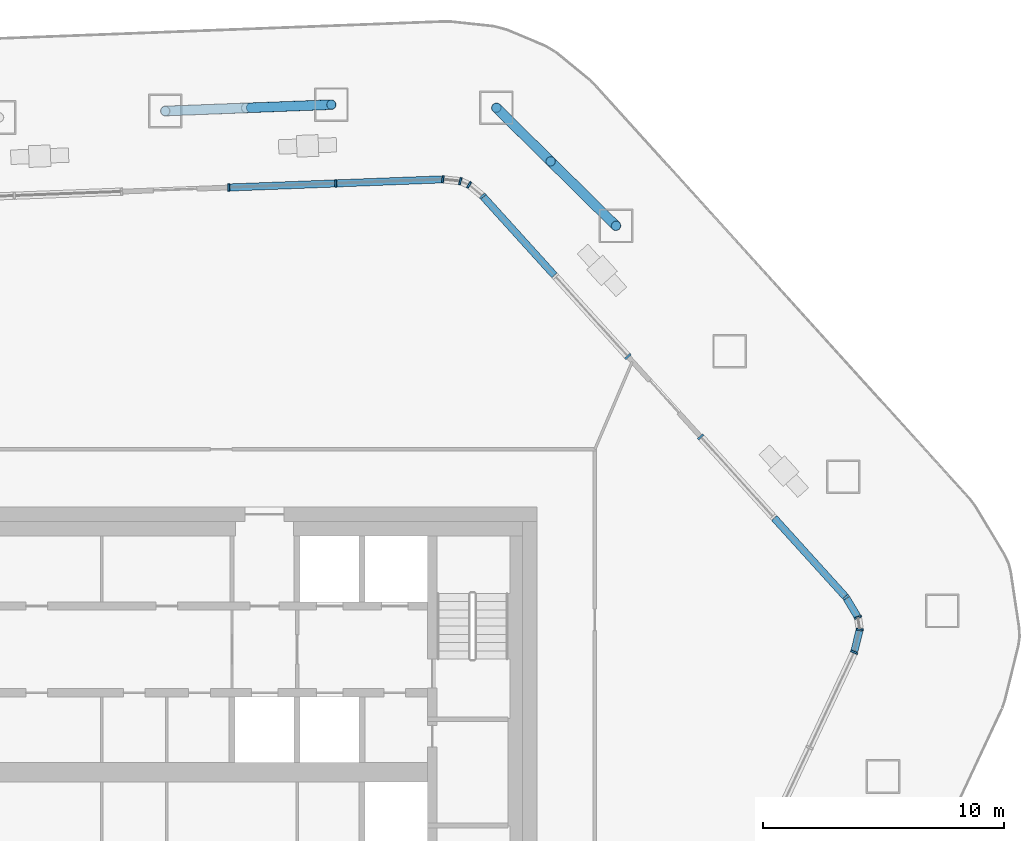
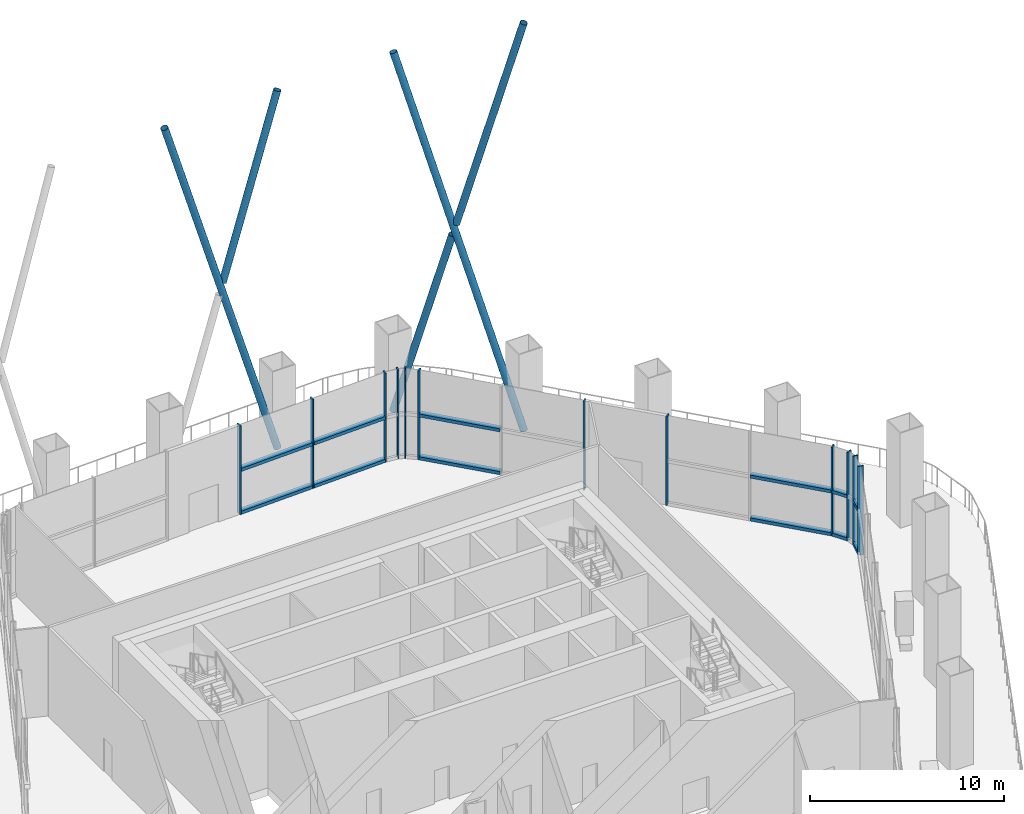
# One storey, part 5 of 20: 29 members, 6 elements without a shape of their own.
"""IFC4 building model written with IfcOpenShell, lengths in metres."""

from ifc_helpers import new_model, si_unit, direction, frame, origin, origin_2d, place, context, subcontext, project, spatial, rectangle, hollow_circle, extrude, material, layer, layer_set, material_profile, profile_set, type_object, element, aggregate, save


model = new_model("IFC4")

# Units and contexts
model_context = context("Model", 3, precision=1e-05, world=origin(), true_north=direction((0.0, 1.0)))
body_context = subcontext(model_context, "Body", "Model", "MODEL_VIEW")
ifc_project = project(units=[si_unit("LENGTHUNIT", "METRE"), si_unit("AREAUNIT", "SQUARE_METRE"), si_unit("VOLUMEUNIT", "CUBIC_METRE"), si_unit("PLANEANGLEUNIT", "RADIAN"), si_unit("MASSUNIT", "GRAM", prefix="KILO")], contexts=[model_context])

# Site, building, storey
site_placement = place(None, origin())
site = spatial("IfcSite", under=ifc_project, at=site_placement, CompositionType="ELEMENT")
building_placement = place(site_placement, origin())
building = spatial("IfcBuilding", under=site, at=building_placement, Name="Dongbaek Canopy Tower", CompositionType="ELEMENT")
storey_placement = place(building_placement, frame((0.0, 0.0, 353.0)))
storey = spatial("IfcBuildingStorey", under=building, at=storey_placement, Name="L76", CompositionType="ELEMENT", Elevation=353.0)

# Members
ifc_material_1 = material(Name="Steel S355", Category="steel")
ifc_material_profile_1 = material_profile(ifc_material_1, hollow_circle(Radius=0.203125, WallThickness=0.0126953125, at=origin_2d()), Name="COLONNADE BRACE CHS 406.4x12.7 Steel S355")
ifc_profile_set_1 = profile_set([ifc_material_profile_1], Name="Steel S355")
member_type_1 = type_object("IfcMemberType", Name="COLONNADE BRACE CHS 406.4x12.7 Steel S355", PredefinedType="BRACE", material=ifc_profile_set_1)
member_1_placement = place(storey_placement, frame((17.27587890625, 22.666015625, 0.60009765625), z_axis=(-0.209558260296, 0.206815567064, 0.955673928054), x_axis=(-0.70243376381, -0.711749118341, 0.0)))
element("IfcMember", 1, at=member_1_placement, inside=storey, type_object=member_type_1, Name="XBRACE:16:0", PredefinedType="BRACE", context=body_context, shape_type="SweptSolid", body=[
    extrude(hollow_circle(Radius=0.203125, WallThickness=0.0126953125, at=origin_2d()), origin(), (0.0, 0.0, 1.0), 23.677978515625),
])
member_2_placement = place(storey_placement, frame((12.31396484375, 27.56298828125, 0.60009765625), z_axis=(0.186413056911, -0.183968759134, 0.965093605758), x_axis=(0.702425004787, 0.71175776262, 0.0)))
element("IfcMember", 2, at=member_2_placement, inside=storey, type_object=member_type_1, Name="XBRACE:16:1", PredefinedType="BRACE", context=body_context, shape_type="SweptSolid", body=[
    extrude(hollow_circle(Radius=0.203125, WallThickness=0.0126953125, at=origin_2d()), origin(), (0.0, 0.0, 1.0), 12.085693359375),
])
member_3_placement = place(storey_placement, frame((17.27587890625, 22.666015625, 26.28857421875), z_axis=(-0.186409425471, 0.183980695914, -0.965092031688), x_axis=(-0.702455024758, -0.711728135029, 0.0)))
element("IfcMember", 3, at=member_3_placement, inside=storey, type_object=member_type_1, Name="XBRACE:16:2", PredefinedType="BRACE", context=body_context, shape_type="SweptSolid", body=[
    extrude(hollow_circle(Radius=0.203125, WallThickness=0.0126953125, at=origin_2d()), origin(), (0.0, 0.0, 1.0), 13.771484375),
])
member_4_placement = place(storey_placement, frame((5.470947265625, 27.69189453125, 0.60009765625), z_axis=(-0.290232397372, -0.011118872366, 0.956891595842), x_axis=(0.038282155939, -0.999266969602, 0.0)))
element("IfcMember", 4, at=member_4_placement, inside=storey, type_object=member_type_1, Name="XBRACE:18:0", PredefinedType="BRACE", context=body_context, shape_type="SweptSolid", body=[
    extrude(hollow_circle(Radius=0.203125, WallThickness=0.0126953125, at=origin_2d()), origin(), (0.0, 0.0, 1.0), 23.73583984375),
])
member_5_placement = place(storey_placement, frame((5.470947265625, 27.69189453125, 23.14794921875), z_axis=(-0.292175218348, -0.011175632388, -0.956299506966), x_axis=(0.038221811516, -0.999269279586, 0.0)))
element("IfcMember", 5, at=member_5_placement, inside=storey, type_object=member_type_1, Name="XBRACE:18:2", PredefinedType="BRACE", context=body_context, shape_type="SweptSolid", body=[
    extrude(hollow_circle(Radius=0.203125, WallThickness=0.0126953125, at=origin_2d()), origin(), (0.0, 0.0, 1.0), 11.381591796875),
])

# Curtain wall, members
ifc_material_2 = material(Name="Aluminium 6063-T6 pale anodised", Category="aluminium")
ifc_layer = layer(ifc_material_2, 0.300048828125)
ifc_layer_set = layer_set([ifc_layer], Name="CW-5 observation lounge curtain wall")
curtain_wall_type = type_object("IfcCurtainWallType", Name="CW-5 observation lounge curtain wall", PredefinedType="NOTDEFINED", material=ifc_layer_set)
curtain_wall_1_placement = place(storey_placement, origin())
curtain_wall_1 = element("IfcCurtainWall", 6, at=curtain_wall_1_placement, inside=storey, type_object=curtain_wall_type, Name="CW-5 curtain wall F0.1", PredefinedType="NOTDEFINED")
ifc_material_3 = material(Name="Aluminium 6063-T6 pale anodised", Category="aluminium")
ifc_material_profile_2 = material_profile(ifc_material_3, rectangle(XDim=0.300048828125, YDim=0.080078125, at=origin_2d()), Name="CW-5 mullion 80 x 300")
ifc_profile_set_2 = profile_set([ifc_material_profile_2], Name="Aluminium 6063-T6 pale anodised")
member_type_2 = type_object("IfcMemberType", Name="CW-5 mullion 80 x 300", PredefinedType="MULLION", material=ifc_profile_set_2)
member_6_placement = place(storey_placement, frame((26.811767578125, 7.262451171875, 0.0), z_axis=(0.0, 0.0, 1.0), x_axis=(0.741222235165, 0.671259709872, 0.0)))
member_6 = element("IfcMember", 7, at=member_6_placement, type_object=member_type_2, Name="CW-5 mullion F0.1.1", PredefinedType="MULLION", context=body_context, shape_type="SweptSolid", body=[
    extrude(rectangle(XDim=0.300048828125, YDim=0.080078125, at=origin_2d()), origin(), (0.0, 0.0, 1.0), 5.60009765625),
])
member_7_placement = place(storey_placement, frame((20.786865234375, 13.915283203125, 0.0), z_axis=(0.0, 0.0, 1.0), x_axis=(0.741222235165, 0.671259709872, 0.0)))
member_7 = element("IfcMember", 8, at=member_7_placement, type_object=member_type_2, Name="CW-5 mullion F0.1.3", PredefinedType="MULLION", context=body_context, shape_type="SweptSolid", body=[
    extrude(rectangle(XDim=0.300048828125, YDim=0.080078125, at=origin_2d()), origin(), (0.0, 0.0, 1.0), 5.60009765625),
])

curtain_wall_2_placement = place(storey_placement, origin())
curtain_wall_2 = element("IfcCurtainWall", 9, at=curtain_wall_2_placement, inside=storey, type_object=curtain_wall_type, Name="CW-5 curtain wall F0.2", PredefinedType="NOTDEFINED")
member_8_placement = place(storey_placement, frame((17.771240234375, 17.2451171875, 0.0), z_axis=(0.0, 0.0, 1.0), x_axis=(0.741222235165, 0.671259709872, 0.0)))
member_8 = element("IfcMember", 10, at=member_8_placement, type_object=member_type_2, Name="CW-5 mullion F0.2.1", PredefinedType="MULLION", context=body_context, shape_type="SweptSolid", body=[
    extrude(rectangle(XDim=0.300048828125, YDim=0.080078125, at=origin_2d()), origin(), (0.0, 0.0, 1.0), 5.60009765625),
])
member_9_placement = place(storey_placement, frame((11.744873046875, 23.899658203125, 0.0), z_axis=(0.0, 0.0, 1.0), x_axis=(0.741222235165, 0.671259709872, 0.0)))
member_9 = element("IfcMember", 11, at=member_9_placement, type_object=member_type_2, Name="CW-5 mullion F0.2.3", PredefinedType="MULLION", context=body_context, shape_type="SweptSolid", body=[
    extrude(rectangle(XDim=0.300048828125, YDim=0.080078125, at=origin_2d()), origin(), (0.0, 0.0, 1.0), 5.60009765625),
])

curtain_wall_3_placement = place(storey_placement, origin())
curtain_wall_3 = element("IfcCurtainWall", 12, at=curtain_wall_3_placement, inside=storey, type_object=curtain_wall_type, Name="CW-5 curtain wall K0.1", PredefinedType="NOTDEFINED")
member_10_placement = place(storey_placement, frame((11.180908203125, 24.364501953125, 0.0), z_axis=(0.0, 0.0, 1.0), x_axis=(0.517430764886, 0.855725074746, 0.0)))
member_10 = element("IfcMember", 13, at=member_10_placement, type_object=member_type_2, Name="CW-5 mullion K0.1.2", PredefinedType="MULLION", context=body_context, shape_type="SweptSolid", body=[
    extrude(rectangle(XDim=0.300048828125, YDim=0.080078125, at=origin_2d()), origin(), (0.0, 0.0, 1.0), 5.60009765625),
])
member_11_placement = place(storey_placement, frame((10.81982421875, 24.516357421875, 0.0), z_axis=(0.0, 0.0, 1.0), x_axis=(0.250117935239, 0.968215378143, 0.0)))
member_11 = element("IfcMember", 14, at=member_11_placement, type_object=member_type_2, Name="CW-5 mullion K0.1.3", PredefinedType="MULLION", context=body_context, shape_type="SweptSolid", body=[
    extrude(rectangle(XDim=0.300048828125, YDim=0.080078125, at=origin_2d()), origin(), (0.0, 0.0, 1.0), 5.60009765625),
])
member_12_placement = place(storey_placement, frame((10.093505859375, 24.5947265625, 0.0), z_axis=(0.0, 0.0, 1.0), x_axis=(0.107074149488, 0.994251037974, 0.0)))
member_12 = element("IfcMember", 15, at=member_12_placement, type_object=member_type_2, Name="CW-5 mullion K0.1.4", PredefinedType="MULLION", context=body_context, shape_type="SweptSolid", body=[
    extrude(rectangle(XDim=0.300048828125, YDim=0.080078125, at=origin_2d()), origin(), (0.0, 0.0, 1.0), 5.60009765625),
])
aggregate(curtain_wall_3, [member_10, member_11, member_12])

curtain_wall_4_placement = place(storey_placement, origin())
curtain_wall_4 = element("IfcCurtainWall", 16, at=curtain_wall_4_placement, inside=storey, type_object=curtain_wall_type, Name="CW-5 curtain wall F1.1", PredefinedType="NOTDEFINED")
member_13_placement = place(storey_placement, frame((5.65673828125, 24.4248046875, 0.0), z_axis=(0.0, 0.0, 1.0), x_axis=(-0.038231971473, 0.999268890918, 0.0)))
member_13 = element("IfcMember", 17, at=member_13_placement, type_object=member_type_2, Name="CW-5 mullion F1.1.2", PredefinedType="MULLION", context=body_context, shape_type="SweptSolid", body=[
    extrude(rectangle(XDim=0.300048828125, YDim=0.080078125, at=origin_2d()), origin(), (0.0, 0.0, 1.0), 5.60009765625),
])
member_14_placement = place(storey_placement, frame((1.212646484375, 24.2548828125, 0.0), z_axis=(0.0, 0.0, 1.0), x_axis=(-0.038231971473, 0.999268890918, 0.0)))
member_14 = element("IfcMember", 18, at=member_14_placement, type_object=member_type_2, Name="CW-5 mullion F1.1.3", PredefinedType="MULLION", context=body_context, shape_type="SweptSolid", body=[
    extrude(rectangle(XDim=0.300048828125, YDim=0.080078125, at=origin_2d()), origin(), (0.0, 0.0, 1.0), 5.60009765625),
])

# Curtain wall, member
curtain_wall_5_placement = place(storey_placement, origin())
curtain_wall_5 = element("IfcCurtainWall", 19, at=curtain_wall_5_placement, inside=storey, type_object=curtain_wall_type, Name="CW-5 curtain wall F5.2", PredefinedType="NOTDEFINED")
member_15_placement = place(storey_placement, frame((27.1533203125, 4.985595703125, 0.0), z_axis=(0.0, 0.0, 1.0), x_axis=(0.905604656845, -0.424122866043, 0.0)))
member_15 = element("IfcMember", 20, at=member_15_placement, type_object=member_type_2, Name="CW-5 mullion F5.2.4", PredefinedType="MULLION", context=body_context, shape_type="SweptSolid", body=[
    extrude(rectangle(XDim=0.300048828125, YDim=0.080078125, at=origin_2d()), origin(), (0.0, 0.0, 1.0), 5.60009765625),
])
aggregate(curtain_wall_5, [member_15])

# Curtain wall, members
curtain_wall_6_placement = place(storey_placement, origin())
curtain_wall_6 = element("IfcCurtainWall", 21, at=curtain_wall_6_placement, inside=storey, type_object=curtain_wall_type, Name="CW-5 curtain wall K5.1", PredefinedType="NOTDEFINED")
member_16_placement = place(storey_placement, frame((27.385986328125, 5.927001953125, 0.0), z_axis=(0.0, 0.0, 1.0), x_axis=(0.998910085146, -0.046675923068, 0.0)))
member_16 = element("IfcMember", 22, at=member_16_placement, type_object=member_type_2, Name="CW-5 mullion K5.1.2", PredefinedType="MULLION", context=body_context, shape_type="SweptSolid", body=[
    extrude(rectangle(XDim=0.300048828125, YDim=0.080078125, at=origin_2d()), origin(), (0.0, 0.0, 1.0), 5.60009765625),
])
member_17_placement = place(storey_placement, frame((27.310546875, 6.430908203125, 0.0), z_axis=(0.0, 0.0, 1.0), x_axis=(0.941208122348, 0.337827278984, 0.0)))
member_17 = element("IfcMember", 23, at=member_17_placement, type_object=member_type_2, Name="CW-5 mullion K5.1.3", PredefinedType="MULLION", context=body_context, shape_type="SweptSolid", body=[
    extrude(rectangle(XDim=0.300048828125, YDim=0.080078125, at=origin_2d()), origin(), (0.0, 0.0, 1.0), 5.60009765625),
])

# Member
ifc_material_4 = material(Name="Aluminium 6063-T6 pale anodised", Category="aluminium")
ifc_material_profile_3 = material_profile(ifc_material_4, rectangle(XDim=0.300048828125, YDim=0.199951171875, at=origin_2d()), Name="CW-5 transom 200 x 300")
ifc_profile_set_3 = profile_set([ifc_material_profile_3], Name="Aluminium 6063-T6 pale anodised")
member_type_3 = type_object("IfcMemberType", Name="CW-5 transom 200 x 300", PredefinedType="USERDEFINED", material=ifc_profile_set_3)
member_18_placement = place(storey_placement, frame((26.77685546875, 7.301025390625, 0.10009765625), z_axis=(-0.671284056103, 0.741200186199, 0.0), x_axis=(-0.741200186199, -0.671284056103, 0.0)))
member_18 = element("IfcMember", 24, at=member_18_placement, type_object=member_type_3, Name="CW-5 transom F0.1.1.1", ObjectType="TRANSOM", PredefinedType="USERDEFINED", context=body_context, shape_type="SweptSolid", body=[
    extrude(rectangle(XDim=0.300048828125, YDim=0.199951171875, at=origin_2d()), origin(), (0.0, 0.0, 1.0), 4.37890625),
])

member_19_placement = place(storey_placement, frame((26.77685546875, 7.301025390625, 2.800048828125), z_axis=(-0.671284056103, 0.741200186199, 0.0), x_axis=(-0.741200186199, -0.671284056103, 0.0)))
member_19 = element("IfcMember", 25, at=member_19_placement, type_object=member_type_3, Name="CW-5 transom F0.1.1.2", ObjectType="TRANSOM", PredefinedType="USERDEFINED", context=body_context, shape_type="SweptSolid", body=[
    extrude(rectangle(XDim=0.300048828125, YDim=0.199951171875, at=origin_2d()), origin(), (0.0, 0.0, 1.0), 4.37890625),
])

aggregate(curtain_wall_1, [member_6, member_7, member_18, member_19])

member_20_placement = place(storey_placement, frame((14.720703125, 20.61376953125, 0.10009765625), z_axis=(-0.671273656212, 0.741209604954, 0.0), x_axis=(-0.741209604954, -0.671273656212, 0.0)))
member_20 = element("IfcMember", 26, at=member_20_placement, type_object=member_type_3, Name="CW-5 transom F0.2.2.1", ObjectType="TRANSOM", PredefinedType="USERDEFINED", context=body_context, shape_type="SweptSolid", body=[
    extrude(rectangle(XDim=0.300048828125, YDim=0.199951171875, at=origin_2d()), origin(), (0.0, 0.0, 1.0), 4.381103515625),
])

member_21_placement = place(storey_placement, frame((14.720703125, 20.61376953125, 2.800048828125), z_axis=(-0.671273656212, 0.741209604954, 0.0), x_axis=(-0.741209604954, -0.671273656212, 0.0)))
member_21 = element("IfcMember", 27, at=member_21_placement, type_object=member_type_3, Name="CW-5 transom F0.2.2.2", ObjectType="TRANSOM", PredefinedType="USERDEFINED", context=body_context, shape_type="SweptSolid", body=[
    extrude(rectangle(XDim=0.300048828125, YDim=0.199951171875, at=origin_2d()), origin(), (0.0, 0.0, 1.0), 4.381103515625),
])

aggregate(curtain_wall_2, [member_8, member_9, member_20, member_21])

member_22_placement = place(storey_placement, frame((10.04150390625, 24.592529296875, 0.10009765625), z_axis=(-0.999268889241, -0.038232015315, 0.0), x_axis=(0.038232015315, -0.999268889241, 0.0)))
member_22 = element("IfcMember", 28, at=member_22_placement, type_object=member_type_3, Name="CW-5 transom F1.1.1.1", ObjectType="TRANSOM", PredefinedType="USERDEFINED", context=body_context, shape_type="SweptSolid", body=[
    extrude(rectangle(XDim=0.300048828125, YDim=0.199951171875, at=origin_2d()), origin(), (0.0, 0.0, 1.0), 4.3359375),
])

member_23_placement = place(storey_placement, frame((10.04150390625, 24.592529296875, 2.800048828125), z_axis=(-0.999268889241, -0.038232015315, 0.0), x_axis=(0.038232015315, -0.999268889241, 0.0)))
member_23 = element("IfcMember", 29, at=member_23_placement, type_object=member_type_3, Name="CW-5 transom F1.1.1.2", ObjectType="TRANSOM", PredefinedType="USERDEFINED", context=body_context, shape_type="SweptSolid", body=[
    extrude(rectangle(XDim=0.300048828125, YDim=0.199951171875, at=origin_2d()), origin(), (0.0, 0.0, 1.0), 4.3359375),
])

member_24_placement = place(storey_placement, frame((5.604736328125, 24.4228515625, 0.10009765625), z_axis=(-0.999269206607, -0.03822371944, 0.0), x_axis=(0.03822371944, -0.999269206607, 0.0)))
member_24 = element("IfcMember", 30, at=member_24_placement, type_object=member_type_3, Name="CW-5 transom F1.1.2.1", ObjectType="TRANSOM", PredefinedType="USERDEFINED", context=body_context, shape_type="SweptSolid", body=[
    extrude(rectangle(XDim=0.300048828125, YDim=0.199951171875, at=origin_2d()), origin(), (0.0, 0.0, 1.0), 4.34326171875),
])

member_25_placement = place(storey_placement, frame((5.604736328125, 24.4228515625, 2.800048828125), z_axis=(-0.999269206607, -0.03822371944, 0.0), x_axis=(0.03822371944, -0.999269206607, 0.0)))
member_25 = element("IfcMember", 31, at=member_25_placement, type_object=member_type_3, Name="CW-5 transom F1.1.2.2", ObjectType="TRANSOM", PredefinedType="USERDEFINED", context=body_context, shape_type="SweptSolid", body=[
    extrude(rectangle(XDim=0.300048828125, YDim=0.199951171875, at=origin_2d()), origin(), (0.0, 0.0, 1.0), 4.34326171875),
])

aggregate(curtain_wall_4, [member_13, member_14, member_22, member_23, member_24, member_25])

member_26_placement = place(storey_placement, frame((27.165771484375, 5.0361328125, 0.10009765625), z_axis=(0.240013067495, 0.970769657247, 0.0), x_axis=(-0.970769657247, 0.240013067495, 0.0)))
member_26 = element("IfcMember", 32, at=member_26_placement, type_object=member_type_3, Name="CW-5 transom K5.1.1.1", ObjectType="TRANSOM", PredefinedType="USERDEFINED", context=body_context, shape_type="SweptSolid", body=[
    extrude(rectangle(XDim=0.300048828125, YDim=0.199951171875, at=origin_2d()), origin(), (0.0, 0.0, 1.0), 0.86572265625),
])

member_27_placement = place(storey_placement, frame((27.165771484375, 5.0361328125, 2.800048828125), z_axis=(0.240013067495, 0.970769657247, 0.0), x_axis=(-0.970769657247, 0.240013067495, 0.0)))
member_27 = element("IfcMember", 33, at=member_27_placement, type_object=member_type_3, Name="CW-5 transom K5.1.1.2", ObjectType="TRANSOM", PredefinedType="USERDEFINED", context=body_context, shape_type="SweptSolid", body=[
    extrude(rectangle(XDim=0.300048828125, YDim=0.199951171875, at=origin_2d()), origin(), (0.0, 0.0, 1.0), 0.86572265625),
])

member_28_placement = place(storey_placement, frame((27.28369140625, 6.475341796875, 0.10009765625), z_axis=(-0.514246968796, 0.857642148617, 0.0), x_axis=(-0.857642148617, -0.514246968796, 0.0)))
member_28 = element("IfcMember", 34, at=member_28_placement, type_object=member_type_3, Name="CW-5 transom K5.1.3.1", ObjectType="TRANSOM", PredefinedType="USERDEFINED", context=body_context, shape_type="SweptSolid", body=[
    extrude(rectangle(XDim=0.300048828125, YDim=0.199951171875, at=origin_2d()), origin(), (0.0, 0.0, 1.0), 0.865966796875),
])

member_29_placement = place(storey_placement, frame((27.28369140625, 6.475341796875, 2.800048828125), z_axis=(-0.514246968796, 0.857642148617, 0.0), x_axis=(-0.857642148617, -0.514246968796, 0.0)))
member_29 = element("IfcMember", 35, at=member_29_placement, type_object=member_type_3, Name="CW-5 transom K5.1.3.2", ObjectType="TRANSOM", PredefinedType="USERDEFINED", context=body_context, shape_type="SweptSolid", body=[
    extrude(rectangle(XDim=0.300048828125, YDim=0.199951171875, at=origin_2d()), origin(), (0.0, 0.0, 1.0), 0.865966796875),
])

aggregate(curtain_wall_6, [member_16, member_17, member_26, member_27, member_28, member_29])

save(model, "model.ifc")
